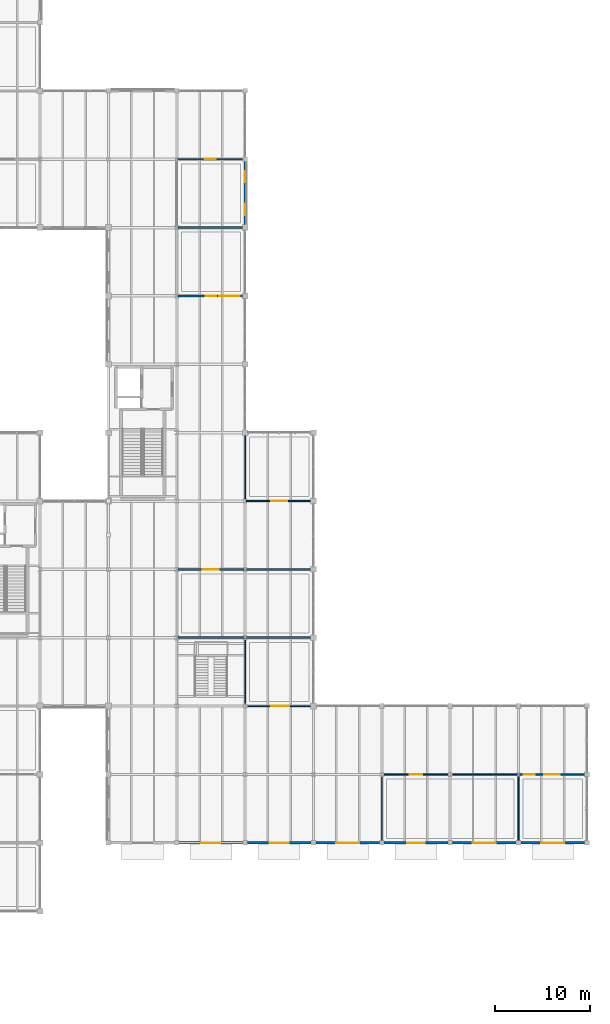
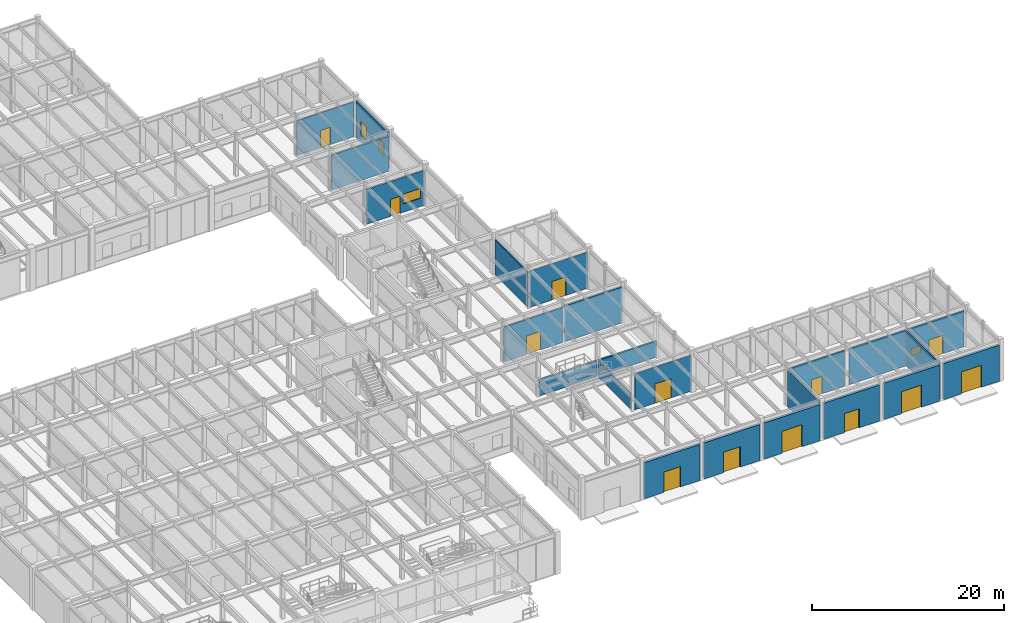
# One storey, part 45 of 97: 23 walls, 13 doors, 4 windows, 17 openings.
"""IFC4 building model written with IfcOpenShell, lengths in metres."""

from ifc_helpers import new_model, si_unit, direction, frame, frame_2d, origin, place, context, subcontext, project, spatial, rectangle, extrude, material, layer, layer_set, type_object, element, fill, save


model = new_model("IFC4")

# Units and contexts
model_context = context("Model", 3, precision=1e-05, world=origin(), true_north=direction((0.0, 1.0)))
body_context = subcontext(model_context, "Body", "Model", "MODEL_VIEW")
ifc_project = project(units=[si_unit("LENGTHUNIT", "METRE"), si_unit("AREAUNIT", "SQUARE_METRE"), si_unit("VOLUMEUNIT", "CUBIC_METRE"), si_unit("PLANEANGLEUNIT", "RADIAN"), si_unit("MASSUNIT", "GRAM", prefix="KILO")], contexts=[model_context])

# Site, building, storey
site_placement = place(None, origin())
site = spatial("IfcSite", under=ifc_project, at=site_placement, CompositionType="ELEMENT")
building_placement = place(site_placement, origin())
building = spatial("IfcBuilding", under=site, at=building_placement, Name="Sillqori Civic Hall", CompositionType="ELEMENT")
storey_placement = place(building_placement, origin())
storey = spatial("IfcBuildingStorey", under=building, at=storey_placement, Name="L01", CompositionType="ELEMENT", Elevation=0.0)

# Wall, openings, windows
ifc_material_1 = material(Name="Precast concrete C40/50 (H40)", Category="concrete")
ifc_layer_1 = layer(ifc_material_1, 0.280029296875)
ifc_layer_set_1 = layer_set([ifc_layer_1], Name="Precast concrete C40/50 (H40)")
wall_type_1 = type_object("IfcWallType", Name="EW-LIME-280", PredefinedType="SOLIDWALL", material=ifc_layer_set_1)
wall_1_placement = place(storey_placement, frame((136.800048828125, 86.14990234375, 0.0), z_axis=(0.0, 0.0, 1.0), x_axis=(0.0, -1.0, 0.0)))
wall_1 = element("IfcWall", 1, at=wall_1_placement, inside=storey, type_object=wall_type_1, Name="L01 V4 exterior wall L01-18-11-E", PredefinedType="SOLIDWALL", context=body_context, shape_type="SweptSolid", body=[
    extrude(rectangle(XDim=6.64990234375, YDim=0.280029296875, at=frame_2d((3.324951171875, 0.0))), origin(), (0.0, 0.0, 1.0), 4.6669921875),
])
opening_1_placement = place(wall_1_placement, frame((0.99609375, 0.0, 0.949951171875)))
opening_1 = element("IfcOpeningElement", 2, at=opening_1_placement, cuts=wall_1, Name="Opening W-22", PredefinedType="OPENING", context=body_context, shape_type="SweptSolid", body=[
    extrude(rectangle(XDim=1.199951171875, YDim=1.699951171875, at=frame_2d((0.60009765625, 0.85009765625))), frame((0.0, 0.14990234375, 0.0), z_axis=(0.0, -1.0, 0.0), x_axis=(1.0, 0.0, 0.0)), (0.0, 0.0, 1.0), 0.300048828125),
])
opening_2_placement = place(wall_1_placement, frame((4.4541015625, 0.0, 0.949951171875)))
opening_2 = element("IfcOpeningElement", 3, at=opening_2_placement, cuts=wall_1, Name="Opening W-22", PredefinedType="OPENING", context=body_context, shape_type="SweptSolid", body=[
    extrude(rectangle(XDim=1.199951171875, YDim=1.699951171875, at=frame_2d((0.60009765625, 0.85009765625))), frame((0.0, 0.14990234375, 0.0), z_axis=(0.0, -1.0, 0.0), x_axis=(1.0, 0.0, 0.0)), (0.0, 0.0, 1.0), 0.300048828125),
])
ifc_material_2 = material(Name="Thermally Broken Aluminium Low-E Window", Category="aluminium")
window_type_1 = type_object("IfcWindowType", Name="WIN-V5-120X170", PartitioningType="SINGLE_PANEL", PredefinedType="WINDOW", material=ifc_material_2)
window_1_placement = place(opening_1_placement, origin())
window_1 = element("IfcWindow", 4, at=window_1_placement, inside=storey, type_object=window_type_1, Name="L01 V4 window L01-18-11-E.1", OverallHeight=1.699951171875, OverallWidth=1.199951171875, PartitioningType="SINGLE_PANEL", PredefinedType="WINDOW", context=body_context, shape_type="SweptSolid", body=[
    extrude(rectangle(XDim=1.199951171875, YDim=1.699951171875, at=frame_2d((0.60009765625, 0.85009765625))), frame((0.0, 0.030029296875, 0.0), z_axis=(0.0, -1.0, 0.0), x_axis=(1.0, 0.0, 0.0)), (0.0, 0.0, 1.0), 0.06005859375),
])
fill(opening_1, window_1)
window_2_placement = place(opening_2_placement, origin())
window_2 = element("IfcWindow", 5, at=window_2_placement, inside=storey, type_object=window_type_1, Name="L01 V4 window L01-18-11-E.2", OverallHeight=1.699951171875, OverallWidth=1.199951171875, PartitioningType="SINGLE_PANEL", PredefinedType="WINDOW", context=body_context, shape_type="SweptSolid", body=[
    extrude(rectangle(XDim=1.199951171875, YDim=1.699951171875, at=frame_2d((0.60009765625, 0.85009765625))), frame((0.0, 0.030029296875, 0.0), z_axis=(0.0, -1.0, 0.0), x_axis=(1.0, 0.0, 0.0)), (0.0, 0.0, 1.0), 0.06005859375),
])
fill(opening_2, window_2)

# Wall, opening, door
ifc_layer_2 = layer(ifc_material_1, 0.300048828125)
ifc_layer_set_2 = layer_set([ifc_layer_2], Name="Precast concrete C40/50 (H40)")
wall_type_2 = type_object("IfcWallType", Name="EW-LIME-300", PredefinedType="SOLIDWALL", material=ifc_layer_set_2)
wall_2_placement = place(storey_placement, frame((136.550048828125, 14.39990234375, 0.0), z_axis=(0.0, 0.0, 1.0), x_axis=(-1.0, 0.0, 0.0)))
wall_2 = element("IfcWall", 6, at=wall_2_placement, inside=storey, type_object=wall_type_2, Name="L01 V3 exterior wall L01-18-02-S", PredefinedType="SOLIDWALL", context=body_context, shape_type="SweptSolid", body=[
    extrude(rectangle(XDim=6.699951171875, YDim=0.300048828125, at=frame_2d((3.35009765625, 0.0))), origin(), (0.0, 0.0, 1.0), 4.597900390625),
])
opening_3_placement = place(wall_2_placement, frame((2.35009765625, 0.0, 0.0)))
opening_3 = element("IfcOpeningElement", 7, at=opening_3_placement, cuts=wall_2, Name="Opening ED-03", PredefinedType="OPENING", context=body_context, shape_type="SweptSolid", body=[
    extrude(rectangle(XDim=2.0, YDim=2.60009765625, at=frame_2d((1.0, 1.300048828125))), frame((0.0, 0.159912109375, 0.0), z_axis=(0.0, -1.0, 0.0), x_axis=(1.0, 0.0, 0.0)), (0.0, 0.0, 1.0), 0.320068359375),
])
ifc_material_3 = material(Name="Thermally Broken Anodized Aluminium and Laminated Glass", Category="aluminium")
door_type_1 = type_object("IfcDoorType", Name="EDR-LIBR-200X260", OperationType="NOTDEFINED", PredefinedType="DOOR", material=ifc_material_3)
door_1_placement = place(opening_3_placement, origin())
door_1 = element("IfcDoor", 8, at=door_1_placement, inside=storey, type_object=door_type_1, Name="Members Library Pavilion Entrance", OperationType="DOUBLE_DOOR_SINGLE_SWING", OverallHeight=2.60009765625, OverallWidth=2.0, PredefinedType="DOOR", context=body_context, shape_type="SweptSolid", body=[
    extrude(rectangle(XDim=2.0, YDim=2.60009765625, at=frame_2d((1.0, 1.300048828125))), frame((0.0, 0.02490234375, 0.0), z_axis=(0.0, -1.0, 0.0), x_axis=(1.0, 0.0, 0.0)), (0.0, 0.0, 1.0), 0.050048828125),
])
fill(opening_3, door_1)

wall_3_placement = place(storey_placement, frame((143.75, 14.39990234375, 0.0), z_axis=(0.0, 0.0, 1.0), x_axis=(-1.0, 0.0, 0.0)))
wall_3 = element("IfcWall", 9, at=wall_3_placement, inside=storey, type_object=wall_type_2, Name="L01 V3 exterior wall L01-19-02-S", PredefinedType="SOLIDWALL", context=body_context, shape_type="SweptSolid", body=[
    extrude(rectangle(XDim=6.699951171875, YDim=0.300048828125, at=frame_2d((3.35009765625, 0.0))), origin(), (0.0, 0.0, 1.0), 4.597900390625),
])
opening_4_placement = place(wall_3_placement, frame((2.35009765625, 0.0, 0.0)))
opening_4 = element("IfcOpeningElement", 10, at=opening_4_placement, cuts=wall_3, Name="Opening ED-03", PredefinedType="OPENING", context=body_context, shape_type="SweptSolid", body=[
    extrude(rectangle(XDim=2.0, YDim=2.60009765625, at=frame_2d((1.0, 1.300048828125))), frame((0.0, 0.159912109375, 0.0), z_axis=(0.0, -1.0, 0.0), x_axis=(1.0, 0.0, 0.0)), (0.0, 0.0, 1.0), 0.320068359375),
])
door_2_placement = place(opening_4_placement, origin())
door_2 = element("IfcDoor", 11, at=door_2_placement, inside=storey, type_object=door_type_1, Name="Members Library Central Portal", OperationType="DOUBLE_DOOR_SINGLE_SWING", OverallHeight=2.60009765625, OverallWidth=2.0, PredefinedType="DOOR", context=body_context, shape_type="SweptSolid", body=[
    extrude(rectangle(XDim=2.0, YDim=2.60009765625, at=frame_2d((1.0, 1.300048828125))), frame((0.0, 0.02490234375, 0.0), z_axis=(0.0, -1.0, 0.0), x_axis=(1.0, 0.0, 0.0)), (0.0, 0.0, 1.0), 0.050048828125),
])
fill(opening_4, door_2)

wall_4_placement = place(storey_placement, frame((150.949951171875, 14.39990234375, 0.0), z_axis=(0.0, 0.0, 1.0), x_axis=(-1.0, 0.0, 0.0)))
wall_4 = element("IfcWall", 12, at=wall_4_placement, inside=storey, type_object=wall_type_2, Name="L01 V3 exterior wall L01-20-02-S", PredefinedType="SOLIDWALL", context=body_context, shape_type="SweptSolid", body=[
    extrude(rectangle(XDim=6.699951171875, YDim=0.300048828125, at=frame_2d((3.35009765625, 0.0))), origin(), (0.0, 0.0, 1.0), 4.597900390625),
])
opening_5_placement = place(wall_4_placement, frame((2.14990234375, 0.0, 0.0)))
opening_5 = element("IfcOpeningElement", 13, at=opening_5_placement, cuts=wall_4, Name="Opening ED-01", PredefinedType="OPENING", context=body_context, shape_type="SweptSolid", body=[
    extrude(rectangle(XDim=2.39990234375, YDim=2.800048828125, at=frame_2d((1.199951171875, 1.39990234375))), frame((0.0, 0.159912109375, 0.0), z_axis=(0.0, -1.0, 0.0), x_axis=(1.0, 0.0, 0.0)), (0.0, 0.0, 1.0), 0.320068359375),
])
door_type_2 = type_object("IfcDoorType", Name="EDR-MAIN-240X280", OperationType="NOTDEFINED", PredefinedType="DOOR", material=ifc_material_3)
door_3_placement = place(opening_5_placement, origin())
door_3 = element("IfcDoor", 14, at=door_3_placement, inside=storey, type_object=door_type_2, Name="Library Garden East Promenade Exit", OperationType="DOUBLE_DOOR_SINGLE_SWING", OverallHeight=2.800048828125, OverallWidth=2.39990234375, PredefinedType="DOOR", context=body_context, shape_type="SweptSolid", body=[
    extrude(rectangle(XDim=2.39990234375, YDim=2.800048828125, at=frame_2d((1.199951171875, 1.39990234375))), frame((0.0, 0.02490234375, 0.0), z_axis=(0.0, -1.0, 0.0), x_axis=(1.0, 0.0, 0.0)), (0.0, 0.0, 1.0), 0.050048828125),
])
fill(opening_5, door_3)

wall_5_placement = place(storey_placement, frame((158.14990234375, 14.39990234375, 0.0), z_axis=(0.0, 0.0, 1.0), x_axis=(-1.0, 0.0, 0.0)))
wall_5 = element("IfcWall", 15, at=wall_5_placement, inside=storey, type_object=wall_type_2, Name="L01 V3 exterior wall L01-21-02-S", PredefinedType="SOLIDWALL", context=body_context, shape_type="SweptSolid", body=[
    extrude(rectangle(XDim=6.699951171875, YDim=0.300048828125, at=frame_2d((3.35009765625, 0.0))), origin(), (0.0, 0.0, 1.0), 4.597900390625),
])
opening_6_placement = place(wall_5_placement, frame((2.449951171875, 0.0, 0.0)))
opening_6 = element("IfcOpeningElement", 16, at=opening_6_placement, cuts=wall_5, Name="Opening ED-04", PredefinedType="OPENING", context=body_context, shape_type="SweptSolid", body=[
    extrude(rectangle(XDim=1.800048828125, YDim=2.39990234375, at=frame_2d((0.89990234375, 1.199951171875))), frame((0.0, 0.159912109375, 0.0), z_axis=(0.0, -1.0, 0.0), x_axis=(1.0, 0.0, 0.0)), (0.0, 0.0, 1.0), 0.320068359375),
])
door_type_3 = type_object("IfcDoorType", Name="EDR-EXIT-180X240", OperationType="NOTDEFINED", PredefinedType="DOOR", material=ifc_material_3)
door_4_placement = place(opening_6_placement, origin())
door_4 = element("IfcDoor", 17, at=door_4_placement, inside=storey, type_object=door_type_3, Name="Library Cloister South Exit", OperationType="DOUBLE_DOOR_SINGLE_SWING", OverallHeight=2.39990234375, OverallWidth=1.800048828125, PredefinedType="DOOR", context=body_context, shape_type="SweptSolid", body=[
    extrude(rectangle(XDim=1.800048828125, YDim=2.39990234375, at=frame_2d((0.89990234375, 1.199951171875))), frame((0.0, 0.02490234375, 0.0), z_axis=(0.0, -1.0, 0.0), x_axis=(1.0, 0.0, 0.0)), (0.0, 0.0, 1.0), 0.050048828125),
])
fill(opening_6, door_4)

wall_6_placement = place(storey_placement, frame((165.35009765625, 14.39990234375, 0.0), z_axis=(0.0, 0.0, 1.0), x_axis=(-1.0, 0.0, 0.0)))
wall_6 = element("IfcWall", 18, at=wall_6_placement, inside=storey, type_object=wall_type_2, Name="L01 V3 exterior wall L01-22-02-S", PredefinedType="SOLIDWALL", context=body_context, shape_type="SweptSolid", body=[
    extrude(rectangle(XDim=6.7001953125, YDim=0.300048828125, at=frame_2d((3.35009765625, 0.0))), origin(), (0.0, 0.0, 1.0), 4.597900390625),
])
opening_7_placement = place(wall_6_placement, frame((2.14990234375, 0.0, 0.0)))
opening_7 = element("IfcOpeningElement", 19, at=opening_7_placement, cuts=wall_6, Name="Opening ED-01", PredefinedType="OPENING", context=body_context, shape_type="SweptSolid", body=[
    extrude(rectangle(XDim=2.39990234375, YDim=2.800048828125, at=frame_2d((1.199951171875, 1.39990234375))), frame((0.0, 0.159912109375, 0.0), z_axis=(0.0, -1.0, 0.0), x_axis=(1.0, 0.0, 0.0)), (0.0, 0.0, 1.0), 0.320068359375),
])
door_5_placement = place(opening_7_placement, origin())
door_5 = element("IfcDoor", 20, at=door_5_placement, inside=storey, type_object=door_type_2, Name="Library Archive Garden Portal", OperationType="DOUBLE_DOOR_SINGLE_SWING", OverallHeight=2.800048828125, OverallWidth=2.39990234375, PredefinedType="DOOR", context=body_context, shape_type="SweptSolid", body=[
    extrude(rectangle(XDim=2.39990234375, YDim=2.800048828125, at=frame_2d((1.199951171875, 1.39990234375))), frame((0.0, 0.02490234375, 0.0), z_axis=(0.0, -1.0, 0.0), x_axis=(1.0, 0.0, 0.0)), (0.0, 0.0, 1.0), 0.050048828125),
])
fill(opening_7, door_5)

wall_7_placement = place(storey_placement, frame((172.550048828125, 14.39990234375, 0.0), z_axis=(0.0, 0.0, 1.0), x_axis=(-1.0, 0.0, 0.0)))
wall_7 = element("IfcWall", 21, at=wall_7_placement, inside=storey, type_object=wall_type_2, Name="L01 V3 exterior wall L01-23-02-S", PredefinedType="SOLIDWALL", context=body_context, shape_type="SweptSolid", body=[
    extrude(rectangle(XDim=6.699951171875, YDim=0.300048828125, at=frame_2d((3.35009765625, 0.0))), origin(), (0.0, 0.0, 1.0), 4.597900390625),
])
opening_8_placement = place(wall_7_placement, frame((2.14990234375, 0.0, 0.0)))
opening_8 = element("IfcOpeningElement", 22, at=opening_8_placement, cuts=wall_7, Name="Opening ED-01", PredefinedType="OPENING", context=body_context, shape_type="SweptSolid", body=[
    extrude(rectangle(XDim=2.39990234375, YDim=2.800048828125, at=frame_2d((1.199951171875, 1.39990234375))), frame((0.0, 0.159912109375, 0.0), z_axis=(0.0, -1.0, 0.0), x_axis=(1.0, 0.0, 0.0)), (0.0, 0.0, 1.0), 0.320068359375),
])
door_6_placement = place(opening_8_placement, origin())
door_6 = element("IfcDoor", 23, at=door_6_placement, inside=storey, type_object=door_type_2, Name="Library Pavilion Far East Exit", OperationType="DOUBLE_DOOR_SINGLE_SWING", OverallHeight=2.800048828125, OverallWidth=2.39990234375, PredefinedType="DOOR", context=body_context, shape_type="SweptSolid", body=[
    extrude(rectangle(XDim=2.39990234375, YDim=2.800048828125, at=frame_2d((1.199951171875, 1.39990234375))), frame((0.0, 0.02490234375, 0.0), z_axis=(0.0, -1.0, 0.0), x_axis=(1.0, 0.0, 0.0)), (0.0, 0.0, 1.0), 0.050048828125),
])
fill(opening_8, door_6)

ifc_material_4 = material(Name="Acoustic Steel-Stud Gypsum Partition 112", Category="steel")
ifc_layer_3 = layer(ifc_material_4, 0.112060546875)
ifc_layer_set_3 = layer_set([ifc_layer_3], Name="Acoustic Steel-Stud Gypsum Partition 112")
wall_type_3 = type_object("IfcWallType", Name="PT-GYP-112", PredefinedType="PARTITIONING", material=ifc_layer_set_3)
wall_8_placement = place(storey_placement, frame((143.8798828125, 28.800048828125, 0.0), z_axis=(0.0, 0.0, 1.0), x_axis=(-1.0, 0.0, 0.0)))
wall_8 = element("IfcWall", 24, at=wall_8_placement, inside=storey, type_object=wall_type_3, Name="Public Local History Exhibition Room partition S1", PredefinedType="PARTITIONING", context=body_context, shape_type="SweptSolid", body=[
    extrude(rectangle(XDim=6.7998046875, YDim=0.112060546875, at=frame_2d((3.39990234375, 0.0))), origin(), (0.0, 0.0, 1.0), 4.587890625),
])
opening_9_placement = place(wall_8_placement, frame((2.449951171875, 0.0, 0.0)))
opening_9 = element("IfcOpeningElement", 25, at=opening_9_placement, cuts=wall_8, Name="Opening ID-11", PredefinedType="OPENING", context=body_context, shape_type="SweptSolid", body=[
    extrude(rectangle(XDim=1.89990234375, YDim=2.449951171875, at=frame_2d((0.949951171875, 1.22509765625))), frame((0.0, 0.06591796875, 0.0), z_axis=(0.0, -1.0, 0.0), x_axis=(1.0, 0.0, 0.0)), (0.0, 0.0, 1.0), 0.132080078125),
])
ifc_material_5 = material(Name="Exhibition Gallery Portal Door", Category="aluminium")
door_type_4 = type_object("IfcDoorType", Name="IDR-EXH-190X245", OperationType="NOTDEFINED", PredefinedType="DOOR", material=ifc_material_5)
door_7_placement = place(opening_9_placement, origin())
door_7 = element("IfcDoor", 26, at=door_7_placement, inside=storey, type_object=door_type_4, Name="Public Local History Exhibition Room entrance door", OperationType="DOUBLE_DOOR_SINGLE_SWING", OverallHeight=2.449951171875, OverallWidth=1.89990234375, PredefinedType="DOOR", context=body_context, shape_type="SweptSolid", body=[
    extrude(rectangle(XDim=1.89990234375, YDim=2.449951171875, at=frame_2d((0.949951171875, 1.22509765625))), frame((0.0, 0.02490234375, 0.0), z_axis=(0.0, -1.0, 0.0), x_axis=(1.0, 0.0, 0.0)), (0.0, 0.0, 1.0), 0.050048828125),
])
fill(opening_9, door_7)

# Wall
wall_9_placement = place(storey_placement, frame((136.800048828125, 29.080078125, 0.0), z_axis=(0.0, 0.0, 1.0), x_axis=(0.0, 1.0, 0.0)))
element("IfcWall", 27, at=wall_9_placement, inside=storey, type_object=wall_type_3, Name="Public Local History Exhibition Room partition W3", PredefinedType="PARTITIONING", context=body_context, shape_type="SweptSolid", body=[
    extrude(rectangle(XDim=6.7998046875, YDim=0.112060546875, at=frame_2d((3.39990234375, 0.0))), origin(), (0.0, 0.0, 1.0), 2.034912109375),
])

# Wall, opening, door
ifc_material_6 = material(Name="Double-Board Acoustic Partition 125", Category="gypsum")
ifc_layer_4 = layer(ifc_material_6, 0.125)
ifc_layer_set_4 = layer_set([ifc_layer_4], Name="Double-Board Acoustic Partition 125")
wall_type_4 = type_object("IfcWallType", Name="PT-GYP-125", PredefinedType="PARTITIONING", material=ifc_layer_set_4)
wall_10_placement = place(storey_placement, frame((143.8798828125, 50.39990234375, 0.0), z_axis=(0.0, 0.0, 1.0), x_axis=(-1.0, 0.0, 0.0)))
wall_10 = element("IfcWall", 28, at=wall_10_placement, inside=storey, type_object=wall_type_4, Name="Municipal Gazetteer Reference Desk partition S1", PredefinedType="PARTITIONING", context=body_context, shape_type="SweptSolid", body=[
    extrude(rectangle(XDim=6.9599609375, YDim=0.125, at=frame_2d((3.47998046875, 0.0))), origin(), (0.0, 0.0, 1.0), 4.587890625),
])
opening_10_placement = place(wall_10_placement, frame((2.639892578125, 0.0, 0.0)))
opening_10 = element("IfcOpeningElement", 29, at=opening_10_placement, cuts=wall_10, Name="Opening ID-09", PredefinedType="OPENING", context=body_context, shape_type="SweptSolid", body=[
    extrude(rectangle(XDim=1.679931640625, YDim=2.35009765625, at=frame_2d((0.83984375, 1.175048828125))), frame((0.0, 0.072509765625, 0.0), z_axis=(0.0, -1.0, 0.0), x_axis=(1.0, 0.0, 0.0)), (0.0, 0.0, 1.0), 0.14501953125),
])
ifc_material_7 = material(Name="Library Reading Room Acoustic Door", Category="timber")
door_type_5 = type_object("IfcDoorType", Name="IDR-LIB-168X235", OperationType="NOTDEFINED", PredefinedType="DOOR", material=ifc_material_7)
door_8_placement = place(opening_10_placement, origin())
door_8 = element("IfcDoor", 30, at=door_8_placement, inside=storey, type_object=door_type_5, Name="Municipal Gazetteer Reference Desk entrance door", OperationType="DOUBLE_DOOR_SINGLE_SWING", OverallHeight=2.35009765625, OverallWidth=1.679931640625, PredefinedType="DOOR", context=body_context, shape_type="SweptSolid", body=[
    extrude(rectangle(XDim=1.679931640625, YDim=2.35009765625, at=frame_2d((0.83984375, 1.175048828125))), frame((0.0, 0.02490234375, 0.0), z_axis=(0.0, -1.0, 0.0), x_axis=(1.0, 0.0, 0.0)), (0.0, 0.0, 1.0), 0.050048828125),
])
fill(opening_10, door_8)

# Wall
wall_11_placement = place(storey_placement, frame((136.800048828125, 50.52001953125, 0.0), z_axis=(0.0, 0.0, 1.0), x_axis=(0.0, 1.0, 0.0)))
element("IfcWall", 31, at=wall_11_placement, inside=storey, type_object=wall_type_4, Name="Municipal Gazetteer Reference Desk partition W2", PredefinedType="PARTITIONING", context=body_context, shape_type="SweptSolid", body=[
    extrude(rectangle(XDim=6.800048828125, YDim=0.125, at=frame_2d((3.39990234375, 0.0))), origin(), (0.0, 0.0, 1.0), 4.427978515625),
])

# Wall, opening, door
ifc_material_8 = material(Name="Double-Board Acoustic Partition 138", Category="gypsum")
ifc_layer_5 = layer(ifc_material_8, 0.137939453125)
ifc_layer_set_5 = layer_set([ifc_layer_5], Name="Double-Board Acoustic Partition 138")
wall_type_5 = type_object("IfcWallType", Name="PT-GYP-138", PredefinedType="PARTITIONING", material=ifc_layer_set_5)
wall_12_placement = place(storey_placement, frame((151.47998046875, 21.60009765625, 0.0), z_axis=(0.0, 0.0, 1.0), x_axis=(1.0, 0.0, 0.0)))
wall_12 = element("IfcWall", 32, at=wall_12_placement, inside=storey, type_object=wall_type_5, Name="Book Return and Sorting Room partition N1", PredefinedType="PARTITIONING", context=body_context, shape_type="SweptSolid", body=[
    extrude(rectangle(XDim=6.64013671875, YDim=0.137939453125, at=frame_2d((3.320068359375, 0.0))), origin(), (0.0, 0.0, 1.0), 4.587890625),
])
opening_11_placement = place(wall_12_placement, frame((2.679931640625, 0.0, 0.0)))
opening_11 = element("IfcOpeningElement", 33, at=opening_11_placement, cuts=wall_12, Name="Opening ID-31", PredefinedType="OPENING", context=body_context, shape_type="SweptSolid", body=[
    extrude(rectangle(XDim=1.280029296875, YDim=2.219970703125, at=frame_2d((0.64013671875, 1.10986328125))), frame((0.0, 0.078857421875, 0.0), z_axis=(0.0, -1.0, 0.0), x_axis=(1.0, 0.0, 0.0)), (0.0, 0.0, 1.0), 0.157958984375),
])
ifc_material_9 = material(Name="Registry Leaf-and-Half Door 1280", Category="timber")
door_type_6 = type_object("IfcDoorType", Name="IDR-DIR-128X222", OperationType="NOTDEFINED", PredefinedType="DOOR", material=ifc_material_9)
door_9_placement = place(opening_11_placement, origin())
door_9 = element("IfcDoor", 34, at=door_9_placement, inside=storey, type_object=door_type_6, Name="Book Return and Sorting Room entrance door", OperationType="SINGLE_SWING_RIGHT", OverallHeight=2.219970703125, OverallWidth=1.280029296875, PredefinedType="DOOR", context=body_context, shape_type="SweptSolid", body=[
    extrude(rectangle(XDim=1.280029296875, YDim=2.219970703125, at=frame_2d((0.64013671875, 1.10986328125))), frame((0.0, 0.02490234375, 0.0), z_axis=(0.0, -1.0, 0.0), x_axis=(1.0, 0.0, 0.0)), (0.0, 0.0, 1.0), 0.050048828125),
])
fill(opening_11, door_9)

# Walls
wall_13_placement = place(storey_placement, frame((158.679931640625, 21.60009765625, 0.0), z_axis=(0.0, 0.0, 1.0), x_axis=(1.0, 0.0, 0.0)))
element("IfcWall", 35, at=wall_13_placement, inside=storey, type_object=wall_type_5, Name="Book Return and Sorting Room partition N2", PredefinedType="PARTITIONING", context=body_context, shape_type="SweptSolid", body=[
    extrude(rectangle(XDim=6.800048828125, YDim=0.137939453125, at=frame_2d((3.39990234375, 0.0))), origin(), (0.0, 0.0, 1.0), 4.587890625),
])
wall_14_placement = place(storey_placement, frame((151.199951171875, 14.679931640625, 0.0), z_axis=(0.0, 0.0, 1.0), x_axis=(0.0, 1.0, 0.0)))
element("IfcWall", 36, at=wall_14_placement, inside=storey, type_object=wall_type_5, Name="Book Return and Sorting Room partition W3", PredefinedType="PARTITIONING", context=body_context, shape_type="SweptSolid", body=[
    extrude(rectangle(XDim=6.64013671875, YDim=0.137939453125, at=frame_2d((3.320068359375, 0.0))), origin(), (0.0, 0.0, 1.0), 4.656982421875),
])
wall_15_placement = place(storey_placement, frame((165.60009765625, 21.47998046875, 0.0), z_axis=(0.0, 0.0, 1.0), x_axis=(0.0, -1.0, 0.0)))
element("IfcWall", 37, at=wall_15_placement, inside=storey, type_object=wall_type_5, Name="Book Return and Sorting Room partition E4", PredefinedType="PARTITIONING", context=body_context, shape_type="SweptSolid", body=[
    extrude(rectangle(XDim=6.9599609375, YDim=0.137939453125, at=frame_2d((3.47998046875, 0.0))), origin(), (0.0, 0.0, 1.0), 4.587890625),
])

# Wall, opening, door
ifc_material_10 = material(Name="Corridor Fire-Rated Partition 150", Category="gypsum")
ifc_layer_6 = layer(ifc_material_10, 0.14990234375)
ifc_layer_set_6 = layer_set([ifc_layer_6], Name="Corridor Fire-Rated Partition 150")
wall_type_6 = type_object("IfcWallType", Name="PT-GYP-150", PredefinedType="PARTITIONING", material=ifc_layer_set_6)
wall_16_placement = place(storey_placement, frame((129.719970703125, 86.39990234375, 0.0), z_axis=(0.0, 0.0, 1.0), x_axis=(1.0, 0.0, 0.0)))
wall_16 = element("IfcWall", 38, at=wall_16_placement, inside=storey, type_object=wall_type_6, Name="Ombudsman Public Consultation Room L01-12 partition N1", PredefinedType="PARTITIONING", context=body_context, shape_type="SweptSolid", body=[
    extrude(rectangle(XDim=6.800048828125, YDim=0.14990234375, at=frame_2d((3.39990234375, 0.0))), origin(), (0.0, 0.0, 1.0), 4.427978515625),
])
opening_12_placement = place(wall_16_placement, frame((2.820068359375, 0.0, 0.0)))
opening_12 = element("IfcOpeningElement", 39, at=opening_12_placement, cuts=wall_16, Name="Opening ID-28", PredefinedType="OPENING", context=body_context, shape_type="SweptSolid", body=[
    extrude(rectangle(XDim=1.159912109375, YDim=2.199951171875, at=frame_2d((0.580078125, 1.10009765625))), frame((0.0, 0.0849609375, 0.0), z_axis=(0.0, -1.0, 0.0), x_axis=(1.0, 0.0, 0.0)), (0.0, 0.0, 1.0), 0.169921875),
])
ifc_material_11 = material(Name="Directorate Cedar Door 1160", Category="timber")
door_type_7 = type_object("IfcDoorType", Name="IDR-DIR-116X220", OperationType="NOTDEFINED", PredefinedType="DOOR", material=ifc_material_11)
door_10_placement = place(opening_12_placement, origin())
door_10 = element("IfcDoor", 40, at=door_10_placement, inside=storey, type_object=door_type_7, Name="Ombudsman Public Consultation Room L01-12 entrance door", OperationType="SINGLE_SWING_LEFT", OverallHeight=2.199951171875, OverallWidth=1.159912109375, PredefinedType="DOOR", context=body_context, shape_type="SweptSolid", body=[
    extrude(rectangle(XDim=1.159912109375, YDim=2.199951171875, at=frame_2d((0.580078125, 1.10009765625))), frame((0.0, 0.02490234375, 0.0), z_axis=(0.0, -1.0, 0.0), x_axis=(1.0, 0.0, 0.0)), (0.0, 0.0, 1.0), 0.050048828125),
])
fill(opening_12, door_10)

# Wall, openings, door, window
wall_17_placement = place(storey_placement, frame((165.719970703125, 21.60009765625, 0.0), z_axis=(0.0, 0.0, 1.0), x_axis=(1.0, 0.0, 0.0)))
wall_17 = element("IfcWall", 41, at=wall_17_placement, inside=storey, type_object=wall_type_6, Name="Members Library Ground Periodicals Reading Room L01-06 partition N1", PredefinedType="PARTITIONING", context=body_context, shape_type="SweptSolid", body=[
    extrude(rectangle(XDim=6.800048828125, YDim=0.14990234375, at=frame_2d((3.39990234375, 0.0))), origin(), (0.0, 0.0, 1.0), 4.587890625),
])
opening_13_placement = place(wall_17_placement, frame((2.56005859375, 0.0, 0.0)))
opening_13 = element("IfcOpeningElement", 42, at=opening_13_placement, cuts=wall_17, Name="Opening ID-09", PredefinedType="OPENING", context=body_context, shape_type="SweptSolid", body=[
    extrude(rectangle(XDim=1.679931640625, YDim=2.35009765625, at=frame_2d((0.83984375, 1.175048828125))), frame((0.0, 0.0849609375, 0.0), z_axis=(0.0, -1.0, 0.0), x_axis=(1.0, 0.0, 0.0)), (0.0, 0.0, 1.0), 0.169921875),
])
opening_14_placement = place(wall_17_placement, frame((0.449951171875, 0.0, 1.050048828125)))
opening_14 = element("IfcOpeningElement", 43, at=opening_14_placement, cuts=wall_17, Name="Opening IW-25", PredefinedType="OPENING", context=body_context, shape_type="SweptSolid", body=[
    extrude(rectangle(XDim=1.1201171875, YDim=0.919921875, at=frame_2d((0.56005859375, 0.4599609375))), frame((0.0, 0.0849609375, 0.0), z_axis=(0.0, -1.0, 0.0), x_axis=(1.0, 0.0, 0.0)), (0.0, 0.0, 1.0), 0.169921875),
])
door_11_placement = place(opening_13_placement, origin())
door_11 = element("IfcDoor", 44, at=door_11_placement, inside=storey, type_object=door_type_5, Name="Members Library Ground Periodicals Reading Room L01-06 entrance door", OperationType="DOUBLE_DOOR_SINGLE_SWING", OverallHeight=2.35009765625, OverallWidth=1.679931640625, PredefinedType="DOOR", context=body_context, shape_type="SweptSolid", body=[
    extrude(rectangle(XDim=1.679931640625, YDim=2.35009765625, at=frame_2d((0.83984375, 1.175048828125))), frame((0.0, 0.02490234375, 0.0), z_axis=(0.0, -1.0, 0.0), x_axis=(1.0, 0.0, 0.0)), (0.0, 0.0, 1.0), 0.050048828125),
])
fill(opening_13, door_11)
ifc_material_12 = material(Name="Acoustic Laminated Interior Clerestory Glazing", Category="glass")
window_type_2 = type_object("IfcWindowType", Name="IWN-GAL-112X092", PartitioningType="SINGLE_PANEL", PredefinedType="WINDOW", material=ifc_material_12)
window_3_placement = place(opening_14_placement, origin())
window_3 = element("IfcWindow", 45, at=window_3_placement, inside=storey, type_object=window_type_2, Name="Members Library Ground Periodicals Reading Room L01-06 borrowed-light screen", OverallHeight=0.919921875, OverallWidth=1.1201171875, PartitioningType="SINGLE_PANEL", PredefinedType="WINDOW", context=body_context, shape_type="SweptSolid", body=[
    extrude(rectangle(XDim=1.1201171875, YDim=0.919921875, at=frame_2d((0.56005859375, 0.4599609375))), frame((0.0, 0.030029296875, 0.0), z_axis=(0.0, -1.0, 0.0), x_axis=(1.0, 0.0, 0.0)), (0.0, 0.0, 1.0), 0.06005859375),
])
fill(opening_14, window_3)

# Wall, opening, door
ifc_material_13 = material(Name="Concrete C25/30 (H25)", Category="concrete")
ifc_layer_7 = layer(ifc_material_13, 0.2119140625)
ifc_layer_set_7 = layer_set([ifc_layer_7], Name="Concrete C25/30 (H25)")
wall_type_7 = type_object("IfcWallType", Name="PT-MAS-212", PredefinedType="PARTITIONING", material=ifc_layer_set_7)
wall_18_placement = place(storey_placement, frame((129.719970703125, 43.199951171875, 0.0), z_axis=(0.0, 0.0, 1.0), x_axis=(1.0, 0.0, 0.0)))
wall_18 = element("IfcWall", 46, at=wall_18_placement, inside=storey, type_object=wall_type_7, Name="Members Library Ground Periodicals Reading Room partition N1", PredefinedType="PARTITIONING", context=body_context, shape_type="SweptSolid", body=[
    extrude(rectangle(XDim=6.9599609375, YDim=0.2119140625, at=frame_2d((3.47998046875, 0.0))), origin(), (0.0, 0.0, 1.0), 4.427978515625),
])
opening_15_placement = place(wall_18_placement, frame((2.639892578125, 0.0, 0.0)))
opening_15 = element("IfcOpeningElement", 47, at=opening_15_placement, cuts=wall_18, Name="Opening ID-09", PredefinedType="OPENING", context=body_context, shape_type="SweptSolid", body=[
    extrude(rectangle(XDim=1.679931640625, YDim=2.35009765625, at=frame_2d((0.83984375, 1.175048828125))), frame((0.0, 0.115966796875, 0.0), z_axis=(0.0, -1.0, 0.0), x_axis=(1.0, 0.0, 0.0)), (0.0, 0.0, 1.0), 0.23193359375),
])
door_12_placement = place(opening_15_placement, origin())
door_12 = element("IfcDoor", 48, at=door_12_placement, inside=storey, type_object=door_type_5, Name="Members Library Ground Periodicals Reading Room entrance door", OperationType="DOUBLE_DOOR_SINGLE_SWING", OverallHeight=2.35009765625, OverallWidth=1.679931640625, PredefinedType="DOOR", context=body_context, shape_type="SweptSolid", body=[
    extrude(rectangle(XDim=1.679931640625, YDim=2.35009765625, at=frame_2d((0.83984375, 1.175048828125))), frame((0.0, 0.02490234375, 0.0), z_axis=(0.0, -1.0, 0.0), x_axis=(1.0, 0.0, 0.0)), (0.0, 0.0, 1.0), 0.050048828125),
])
fill(opening_15, door_12)

# Walls
wall_19_placement = place(storey_placement, frame((136.919921875, 43.199951171875, 0.0), z_axis=(0.0, 0.0, 1.0), x_axis=(1.0, 0.0, 0.0)))
element("IfcWall", 49, at=wall_19_placement, inside=storey, type_object=wall_type_7, Name="Members Library Ground Periodicals Reading Room partition N2", PredefinedType="PARTITIONING", context=body_context, shape_type="SweptSolid", body=[
    extrude(rectangle(XDim=6.9599609375, YDim=0.2119140625, at=frame_2d((3.47998046875, 0.0))), origin(), (0.0, 0.0, 1.0), 4.587890625),
])
for number, where, z_axis, x_axis, name in (
    (50, (136.679931640625, 36.0, 0.0), (0.0, 0.0, 1.0), (-1.0, 0.0, 0.0), "Members Library Ground Periodicals Reading Room partition S3"),
    (51, (143.8798828125, 36.0, 0.0), (0.0, 0.0, 1.0), (-1.0, 0.0, 0.0), "Members Library Ground Periodicals Reading Room partition S4"),
):
    element("IfcWall", number, at=place(storey_placement, frame(where, z_axis=z_axis, x_axis=x_axis)), inside=storey, type_object=wall_type_7, Name=name, PredefinedType="PARTITIONING", context=body_context, shape_type="SweptSolid", body=[
        extrude(rectangle(XDim=6.9599609375, YDim=0.2119140625, at=frame_2d((3.47998046875, 0.0))), origin(), (0.0, 0.0, 1.0), 2.034912109375),
    ])

# Wall, openings, door, window
ifc_layer_8 = layer(ifc_material_13, 0.22802734375)
ifc_layer_set_8 = layer_set([ifc_layer_8], Name="Concrete C25/30 (H25)")
wall_type_8 = type_object("IfcWallType", Name="PT-MAS-228", PredefinedType="PARTITIONING", material=ifc_layer_set_8)
wall_20_placement = place(storey_placement, frame((136.679931640625, 72.0, 0.0), z_axis=(0.0, 0.0, 1.0), x_axis=(-1.0, 0.0, 0.0)))
wall_20 = element("IfcWall", 52, at=wall_20_placement, inside=storey, type_object=wall_type_8, Name="Library Acquisitions and Cataloguing Workroom partition S1", PredefinedType="PARTITIONING", context=body_context, shape_type="SweptSolid", body=[
    extrude(rectangle(XDim=6.9599609375, YDim=0.22802734375, at=frame_2d((3.47998046875, 0.0))), origin(), (0.0, 0.0, 1.0), 4.427978515625),
])
opening_16_placement = place(wall_20_placement, frame((2.909912109375, 0.0, 0.0)))
opening_16 = element("IfcOpeningElement", 53, at=opening_16_placement, cuts=wall_20, Name="Opening ID-27", PredefinedType="OPENING", context=body_context, shape_type="SweptSolid", body=[
    extrude(rectangle(XDim=1.139892578125, YDim=2.179931640625, at=frame_2d((0.56982421875, 1.08984375))), frame((0.0, 0.1240234375, 0.0), z_axis=(0.0, -1.0, 0.0), x_axis=(1.0, 0.0, 0.0)), (0.0, 0.0, 1.0), 0.248046875),
])
opening_17_placement = place(wall_20_placement, frame((0.449951171875, 0.0, 1.050048828125)))
opening_17 = element("IfcOpeningElement", 54, at=opening_17_placement, cuts=wall_20, Name="Opening IW-20", PredefinedType="OPENING", context=body_context, shape_type="SweptSolid", body=[
    extrude(rectangle(XDim=2.14990234375, YDim=1.260009765625, at=frame_2d((1.074951171875, 0.6298828125))), frame((0.0, 0.1240234375, 0.0), z_axis=(0.0, -1.0, 0.0), x_axis=(1.0, 0.0, 0.0)), (0.0, 0.0, 1.0), 0.248046875),
])
ifc_material_14 = material(Name="Directorate Cedar Door 1140", Category="timber")
door_type_8 = type_object("IfcDoorType", Name="IDR-DIR-114X218", OperationType="NOTDEFINED", PredefinedType="DOOR", material=ifc_material_14)
door_13_placement = place(opening_16_placement, origin())
door_13 = element("IfcDoor", 55, at=door_13_placement, inside=storey, type_object=door_type_8, Name="Library Acquisitions and Cataloguing Workroom entrance door", OperationType="SINGLE_SWING_RIGHT", OverallHeight=2.179931640625, OverallWidth=1.139892578125, PredefinedType="DOOR", context=body_context, shape_type="SweptSolid", body=[
    extrude(rectangle(XDim=1.139892578125, YDim=2.179931640625, at=frame_2d((0.56982421875, 1.08984375))), frame((0.0, 0.02490234375, 0.0), z_axis=(0.0, -1.0, 0.0), x_axis=(1.0, 0.0, 0.0)), (0.0, 0.0, 1.0), 0.050048828125),
])
fill(opening_16, door_13)
window_type_3 = type_object("IfcWindowType", Name="IWN-STU-215X126", PartitioningType="SINGLE_PANEL", PredefinedType="WINDOW", material=ifc_material_12)
window_4_placement = place(opening_17_placement, origin())
window_4 = element("IfcWindow", 56, at=window_4_placement, inside=storey, type_object=window_type_3, Name="Library Acquisitions and Cataloguing Workroom borrowed-light screen", OverallHeight=1.260009765625, OverallWidth=2.14990234375, PartitioningType="SINGLE_PANEL", PredefinedType="WINDOW", context=body_context, shape_type="SweptSolid", body=[
    extrude(rectangle(XDim=2.14990234375, YDim=1.260009765625, at=frame_2d((1.074951171875, 0.6298828125))), frame((0.0, 0.030029296875, 0.0), z_axis=(0.0, -1.0, 0.0), x_axis=(1.0, 0.0, 0.0)), (0.0, 0.0, 1.0), 0.06005859375),
])
fill(opening_17, window_4)

# Wall
wall_21_placement = place(storey_placement, frame((129.719970703125, 79.199951171875, 0.0), z_axis=(0.0, 0.0, 1.0), x_axis=(1.0, 0.0, 0.0)))
element("IfcWall", 57, at=wall_21_placement, inside=storey, type_object=wall_type_8, Name="Library Acquisitions and Cataloguing Workroom partition N2", PredefinedType="PARTITIONING", context=body_context, shape_type="SweptSolid", body=[
    extrude(rectangle(XDim=6.800048828125, YDim=0.22802734375, at=frame_2d((3.39990234375, 0.0))), origin(), (0.0, 0.0, 1.0), 4.427978515625),
])

save(model, "model.ifc")
